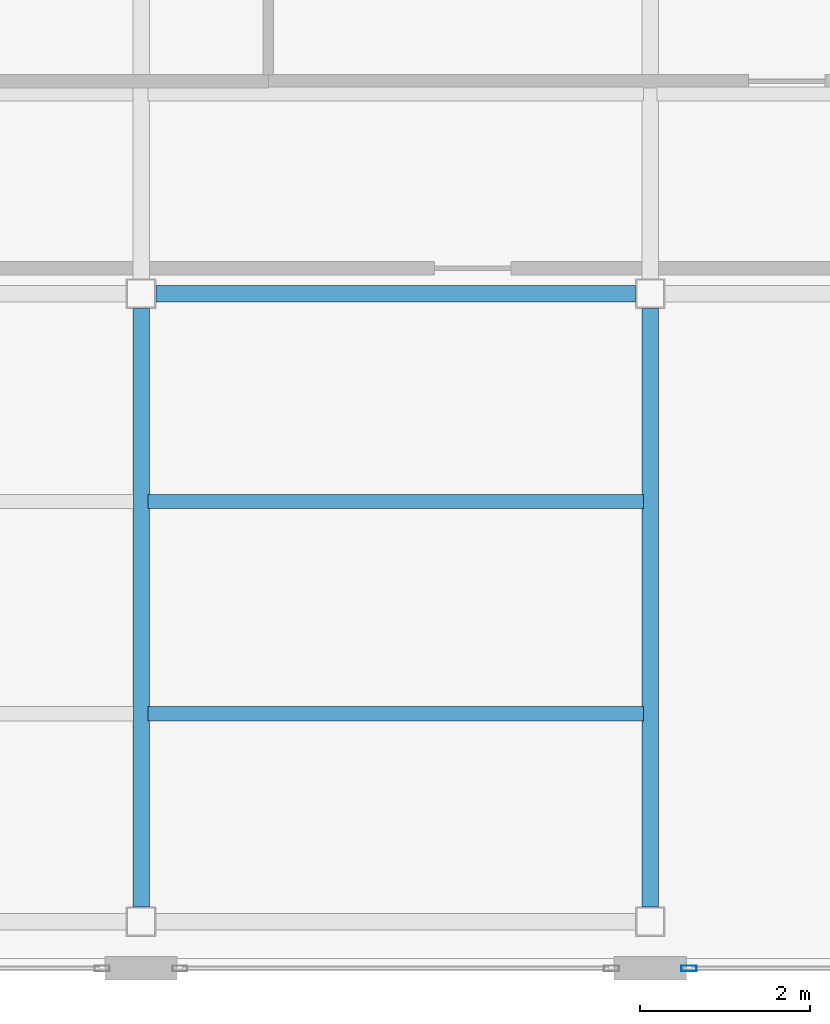
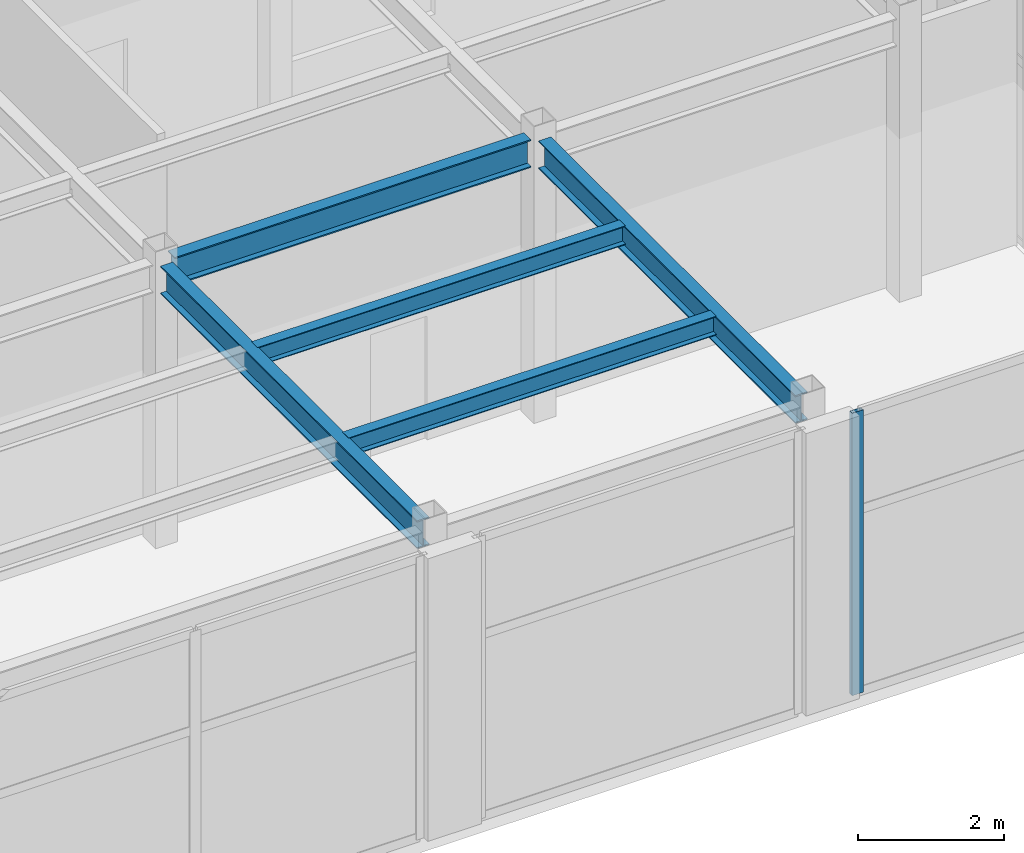
# One storey, part 5 of 16: 5 beams, 1 member, 1 element without a shape of its own.
"""IFC4 building model written with IfcOpenShell, lengths in metres."""

from ifc_helpers import new_model, si_unit, direction, frame, origin, origin_2d, place, context, subcontext, project, spatial, hollow_rectangle, i_section, extrude, material, layer, layer_set, material_profile, profile_set, type_object, element, aggregate, save


model = new_model("IFC4")

# Units and contexts
model_context = context("Model", 3, precision=1e-05, world=origin(), true_north=direction((0.0, 1.0)))
body_context = subcontext(model_context, "Body", "Model", "MODEL_VIEW")
ifc_project = project(units=[si_unit("LENGTHUNIT", "METRE"), si_unit("AREAUNIT", "SQUARE_METRE"), si_unit("VOLUMEUNIT", "CUBIC_METRE"), si_unit("PLANEANGLEUNIT", "RADIAN"), si_unit("MASSUNIT", "GRAM", prefix="KILO")], contexts=[model_context])

# Site, building, storey
site_placement = place(None, origin())
site = spatial("IfcSite", under=ifc_project, at=site_placement, CompositionType="ELEMENT")
building_placement = place(site_placement, origin())
building = spatial("IfcBuilding", under=site, at=building_placement, Name="Mawjaban Terraces University", CompositionType="ELEMENT")
storey_placement = place(building_placement, frame((0.0, 0.0, 311.699951171875)))
storey = spatial("IfcBuildingStorey", under=building, at=storey_placement, Name="L76", CompositionType="ELEMENT", Elevation=311.699951171875)

# Beams
ifc_material_1 = material(Name="Steel ASTM A572 Grade 50", Category="steel")
ifc_material_profile_1 = material_profile(ifc_material_1, i_section(OverallWidth=0.194091796875, OverallDepth=0.468994140625, WebThickness=0.011474609375, FlangeThickness=0.0205078125, at=origin_2d()), Name="W460X106")
ifc_profile_set_1 = profile_set([ifc_material_profile_1], Name="Steel ASTM A572 Grade 50")
beam_type_1 = type_object("IfcBeamType", Name="Beam_B_W460X106", PredefinedType="BEAM", material=ifc_profile_set_1)
beam_placement = place(storey_placement, frame((46.175048828125, 7.949951171875, 4.505126953125), z_axis=(1.0, 0.0, 0.0), x_axis=(0.0, 1.0, 0.0)))
element("IfcBeam", 1, at=beam_placement, inside=storey, type_object=beam_type_1, Name="L76 Beam BM-L76-EW-04", PredefinedType="BEAM", context=body_context, shape_type="SweptSolid", body=[
    extrude(i_section(OverallWidth=0.194091796875, OverallDepth=0.468994140625, WebThickness=0.011474609375, FlangeThickness=0.0205078125, at=origin_2d()), origin(), (0.0, 0.0, 1.0), 5.64990234375),
])
for number, where, z_axis, x_axis, name in (
    (2, (46.0, 0.72509765625, 4.505126953125), (0.0, 1.0, 0.0), (-1.0, 0.0, 0.0), "L76 Beam BM-L76-NS-08"),
    (3, (52.0, 0.72509765625, 4.505126953125), (0.0, 1.0, 0.0), (-1.0, 0.0, 0.0), "L76 Beam BM-L76-NS-10"),
):
    element("IfcBeam", number, at=place(storey_placement, frame(where, z_axis=z_axis, x_axis=x_axis)), inside=storey, type_object=beam_type_1, Name=name, PredefinedType="BEAM", context=body_context, shape_type="SweptSolid", body=[
        extrude(i_section(OverallWidth=0.194091796875, OverallDepth=0.468994140625, WebThickness=0.011474609375, FlangeThickness=0.0205078125, at=origin_2d()), origin(), (0.0, 0.0, 1.0), 7.0498046875),
    ])
ifc_material_profile_2 = material_profile(ifc_material_1, i_section(OverallWidth=0.1669921875, OverallDepth=0.318115234375, WebThickness=0.007568359375, FlangeThickness=0.01318359375, at=origin_2d()), Name="W310X52")
ifc_profile_set_2 = profile_set([ifc_material_profile_2], Name="Steel ASTM A572 Grade 50")
beam_type_2 = type_object("IfcBeamType", Name="Beam_J_W310X52", PredefinedType="JOIST", material=ifc_profile_set_2)
for number, where, z_axis, x_axis, name in (
    (4, (46.080078125, 3.0, 4.5810546875), (1.0, 0.0, 0.0), (0.0, 1.0, 0.0), "L76 Composite Joist JST-L76-02"),
    (5, (46.080078125, 5.5, 4.5810546875), (1.0, 0.0, 0.0), (0.0, 1.0, 0.0), "L76 Composite Joist JST-L76-04"),
):
    element("IfcBeam", number, at=place(storey_placement, frame(where, z_axis=z_axis, x_axis=x_axis)), inside=storey, type_object=beam_type_2, Name=name, PredefinedType="JOIST", context=body_context, shape_type="SweptSolid", body=[
        extrude(i_section(OverallWidth=0.1669921875, OverallDepth=0.318115234375, WebThickness=0.007568359375, FlangeThickness=0.01318359375, at=origin_2d()), origin(), (0.0, 0.0, 1.0), 5.83984375),
    ])

# Curtain wall, member
ifc_material_2 = material(Name="Anodised aluminium 6063-T6 and solar-control low-E glass", Category="aluminium")
ifc_layer = layer(ifc_material_2, 0.199951171875)
ifc_layer_set = layer_set([ifc_layer], Name="Anodised aluminium 6063-T6 and solar-control low-E glass")
curtain_wall_type = type_object("IfcCurtainWallType", Name="CWSystem_06_ObservationCrown", PredefinedType="NOTDEFINED", material=ifc_layer_set)
curtain_wall_placement = place(storey_placement, origin())
curtain_wall = element("IfcCurtainWall", 6, at=curtain_wall_placement, inside=storey, type_object=curtain_wall_type, Name="L76 Curtain Wall CW-06 Run 1.5", PredefinedType="NOTDEFINED")
ifc_material_3 = material(Name="Anodised aluminium 6063-T6", Category="aluminium")
ifc_material_profile_3 = material_profile(ifc_material_3, hollow_rectangle(XDim=0.06494140625, YDim=0.179931640625, WallThickness=0.00390625, at=origin_2d()), Name="ALU180X65X4")
ifc_profile_set_3 = profile_set([ifc_material_profile_3], Name="Anodised aluminium 6063-T6")
member_type = type_object("IfcMemberType", Name="Mullion_CW-06", PredefinedType="MULLION", material=ifc_profile_set_3)
member_placement = place(storey_placement, frame((52.45751953125, 0.0, 0.0), z_axis=(0.0, 0.0, 1.0), x_axis=(0.0, 1.0, 0.0)))
member = element("IfcMember", 7, at=member_placement, type_object=member_type, Name="CW-06 mullion 1", PredefinedType="MULLION", context=body_context, shape_type="SweptSolid", body=[
    extrude(hollow_rectangle(XDim=0.06494140625, YDim=0.179931640625, WallThickness=0.00390625, at=origin_2d()), origin(), (0.0, 0.0, 1.0), 4.739990234375),
])
aggregate(curtain_wall, [member])

save(model, "model.ifc")
